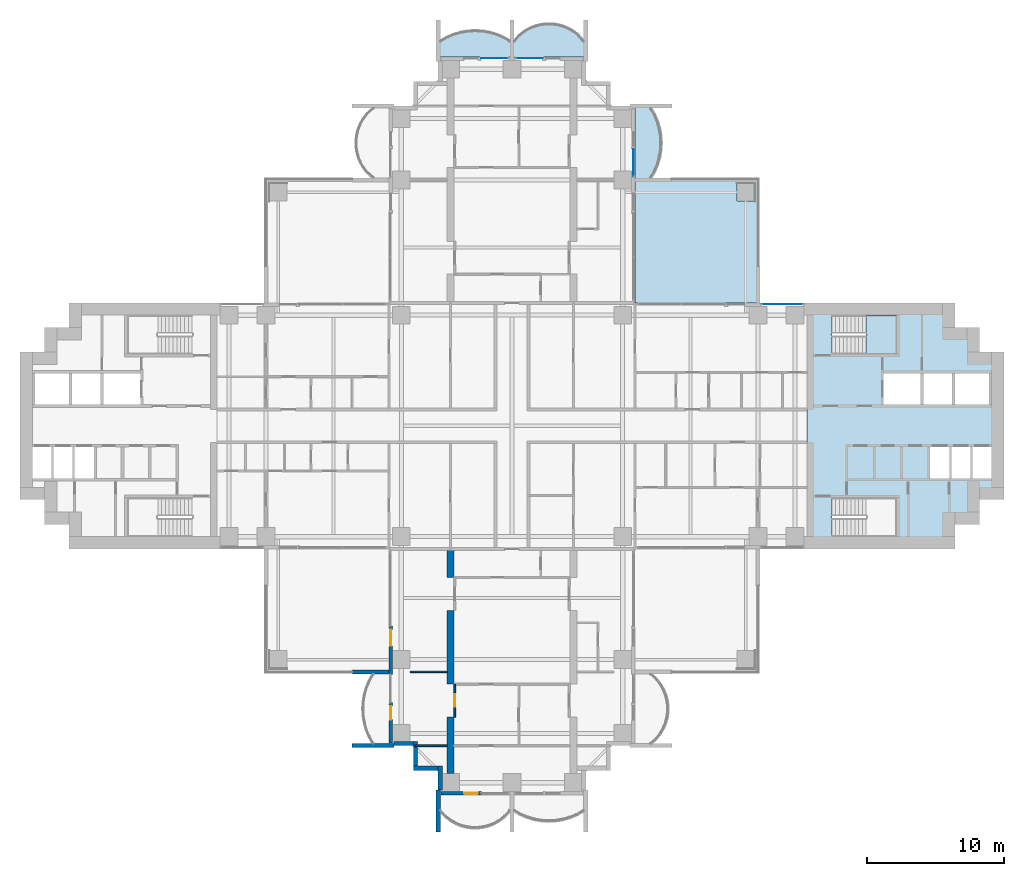
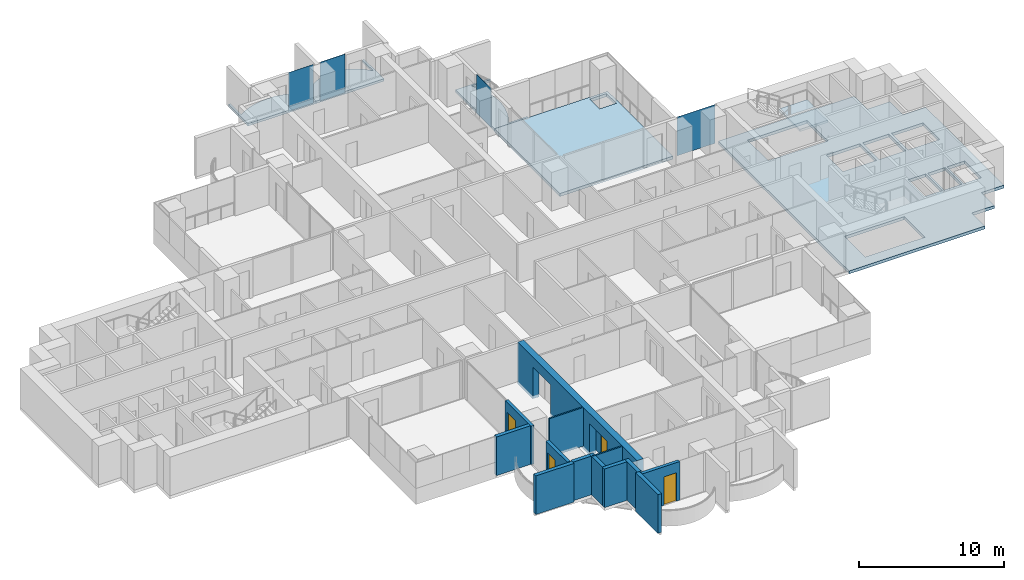
# One storey, part 9 of 20: 14 walls, 6 slabs, 4 doors, 4 plates, 4 openings, 5 elements without a shape of their own.
"""IFC4 building model written with IfcOpenShell, lengths in metres."""

from ifc_helpers import new_model, si_unit, direction, frame, frame_2d, origin, origin_2d, place, context, subcontext, project, spatial, polyline, rectangle, outline, extrude, material, layer, layer_set, material_profile, profile_set, type_object, element, fill, aggregate, save


model = new_model("IFC4")

# Units and contexts
model_context = context("Model", 3, precision=1e-05, world=origin(), true_north=direction((0.0, 1.0)))
body_context = subcontext(model_context, "Body", "Model", "MODEL_VIEW")
ifc_project = project(units=[si_unit("LENGTHUNIT", "METRE"), si_unit("AREAUNIT", "SQUARE_METRE"), si_unit("VOLUMEUNIT", "CUBIC_METRE"), si_unit("PLANEANGLEUNIT", "RADIAN"), si_unit("MASSUNIT", "GRAM", prefix="KILO")], contexts=[model_context])

# Site, building, storey
site_placement = place(None, origin())
site = spatial("IfcSite", under=ifc_project, at=site_placement, CompositionType="ELEMENT")
building_placement = place(site_placement, origin())
building = spatial("IfcBuilding", under=site, at=building_placement, Name="Perihelion Cross Residences", CompositionType="ELEMENT")
storey_placement = place(building_placement, frame((0.0, 0.0, 78.5)))
storey = spatial("IfcBuildingStorey", under=building, at=storey_placement, Name="L17", CompositionType="ELEMENT", Elevation=78.5)

# Slabs
ifc_material_1 = material(Name="Concrete C40/50", Category="concrete")
ifc_layer_1 = layer(ifc_material_1, 0.199951171875)
ifc_layer_set_1 = layer_set([ifc_layer_1], Name="Balcony slab 200")
slab_type_1 = type_object("IfcSlabType", Name="Balcony slab 200", PredefinedType="FLOOR", material=ifc_layer_set_1)
slab_1_placement = place(storey_placement, frame((0.0, 0.0, -0.199951171875)))
element("IfcSlab", 1, at=slab_1_placement, inside=storey, type_object=slab_type_1, Name="Slab BK1 L17 north side east bay 2 balcony", PredefinedType="FLOOR", context=body_context, shape_type="SweptSolid", body=[
    extrude(outline(polyline([(9.0, 18.0), (9.0, 23.39990234375), (11.699951171875, 23.39990234375), (11.699951171875, 23.25), (10.199951171875, 23.25), (10.4853515625, 22.739990234375), (10.694580078125, 22.22998046875), (10.838134765625, 21.719970703125), (10.92236328125, 21.2099609375), (10.949951171875, 20.699951171875), (10.92236328125, 20.18994140625), (10.838134765625, 19.679931640625), (10.694580078125, 19.169921875), (10.4853515625, 18.659912109375), (10.199951171875, 18.14990234375), (11.699951171875, 18.14990234375), (11.699951171875, 18.0), (9.0, 18.0)])), origin(), (0.0, 0.0, 1.0), 0.199951171875),
])
slab_2_placement = place(storey_placement, frame((0.0, 0.0, -0.199951171875)))
element("IfcSlab", 2, at=slab_2_placement, inside=storey, type_object=slab_type_1, Name="Slab BK1 L17 north tip north bay 1 balcony", PredefinedType="FLOOR", context=body_context, shape_type="SweptSolid", body=[
    extrude(outline(polyline([(5.39990234375, 27.0), (0.0, 27.0), (0.0, 29.699951171875), (0.14990234375, 29.699951171875), (0.14990234375, 28.199951171875), (0.542236328125, 28.622314453125), (0.9345703125, 28.924072265625), (1.326904296875, 29.143310546875), (1.71923828125, 29.29736328125), (2.111572265625, 29.39599609375), (2.50390625, 29.444091796875), (2.896240234375, 29.444091796875), (3.28857421875, 29.39599609375), (3.6806640625, 29.29736328125), (4.072998046875, 29.143310546875), (4.46533203125, 28.924072265625), (4.857666015625, 28.622314453125), (5.25, 28.199951171875), (5.25, 29.699951171875), (5.39990234375, 29.699951171875), (5.39990234375, 27.0)])), origin(), (0.0, 0.0, 1.0), 0.199951171875),
])
slab_3_placement = place(storey_placement, frame((0.0, 0.0, -0.199951171875)))
element("IfcSlab", 3, at=slab_3_placement, inside=storey, type_object=slab_type_1, Name="Slab BK1 L17 north tip north bay 2 balcony", PredefinedType="FLOOR", context=body_context, shape_type="SweptSolid", body=[
    extrude(outline(polyline([(0.0, 27.0), (-5.39990234375, 27.0), (-5.39990234375, 29.699951171875), (-5.25, 29.699951171875), (-5.25, 28.199951171875), (-4.739990234375, 28.4853515625), (-4.22998046875, 28.694580078125), (-3.719970703125, 28.838134765625), (-3.2099609375, 28.92236328125), (-2.699951171875, 28.949951171875), (-2.18994140625, 28.92236328125), (-1.679931640625, 28.838134765625), (-1.169921875, 28.694580078125), (-0.659912109375, 28.4853515625), (-0.14990234375, 28.199951171875), (-0.14990234375, 29.699951171875), (0.0, 29.699951171875), (0.0, 27.0)])), origin(), (0.0, 0.0, 1.0), 0.199951171875),
])

# Curtain wall, plate
ifc_material_2 = material(Name="Bronze anodised aluminium, tinted glazing", Category="aluminium")
curtain_wall_type = type_object("IfcCurtainWallType", Name="CW1", PredefinedType="NOTDEFINED", material=ifc_material_2)
curtain_wall_1_placement = place(storey_placement, origin())
curtain_wall_1 = element("IfcCurtainWall", 4, at=curtain_wall_1_placement, inside=storey, type_object=curtain_wall_type, Name="Curtain wall CW1 L17 east side north bay 1", PredefinedType="NOTDEFINED")
ifc_material_3 = material(Name="Tinted laminated glass", Category="glass")
ifc_layer_2 = layer(ifc_material_3, 0.028076171875)
ifc_layer_set_2 = layer_set([ifc_layer_2], Name="CW1 panel")
plate_type = type_object("IfcPlateType", Name="CW1 panel", PredefinedType="CURTAIN_PANEL", material=ifc_layer_set_2)
plate_1_placement = place(storey_placement, frame((19.77490234375, 8.89990234375, 0.0), z_axis=(0.0, 0.0, 1.0), x_axis=(-1.0, 0.0, 0.0)))
plate_1 = element("IfcPlate", 5, at=plate_1_placement, type_object=plate_type, Name="CW1 panel 1", PredefinedType="CURTAIN_PANEL", context=body_context, shape_type="SweptSolid", body=[
    extrude(rectangle(XDim=3.030029296875, YDim=0.028076171875, at=origin_2d()), origin(), (0.0, 0.0, 1.0), 3.25),
])
aggregate(curtain_wall_1, [plate_1])

curtain_wall_2_placement = place(storey_placement, origin())
curtain_wall_2 = element("IfcCurtainWall", 6, at=curtain_wall_2_placement, inside=storey, type_object=curtain_wall_type, Name="Curtain wall CW1 L17 north side east bay 2", PredefinedType="NOTDEFINED")
plate_2_placement = place(storey_placement, frame((8.89990234375, 19.2548828125, 0.0), z_axis=(0.0, 0.0, 1.0), x_axis=(0.0, 1.0, 0.0)))
plate_2 = element("IfcPlate", 7, at=plate_2_placement, type_object=plate_type, Name="CW1 panel 1", PredefinedType="CURTAIN_PANEL", context=body_context, shape_type="SweptSolid", body=[
    extrude(rectangle(XDim=1.989990234375, YDim=0.028076171875, at=origin_2d()), origin(), (0.0, 0.0, 1.0), 3.25),
])
aggregate(curtain_wall_2, [plate_2])

curtain_wall_3_placement = place(storey_placement, origin())
curtain_wall_3 = element("IfcCurtainWall", 8, at=curtain_wall_3_placement, inside=storey, type_object=curtain_wall_type, Name="Curtain wall CW1 L17 north tip north bay 1", PredefinedType="NOTDEFINED")
plate_3_placement = place(storey_placement, frame((1.2548828125, 26.89990234375, 0.0), z_axis=(0.0, 0.0, 1.0), x_axis=(-1.0, 0.0, 0.0)))
plate_3 = element("IfcPlate", 9, at=plate_3_placement, type_object=plate_type, Name="CW1 panel 1", PredefinedType="CURTAIN_PANEL", context=body_context, shape_type="SweptSolid", body=[
    extrude(rectangle(XDim=1.989990234375, YDim=0.028076171875, at=origin_2d()), origin(), (0.0, 0.0, 1.0), 3.25),
])
aggregate(curtain_wall_3, [plate_3])

curtain_wall_4_placement = place(storey_placement, origin())
curtain_wall_4 = element("IfcCurtainWall", 10, at=curtain_wall_4_placement, inside=storey, type_object=curtain_wall_type, Name="Curtain wall CW1 L17 north tip north bay 2", PredefinedType="NOTDEFINED")
plate_4_placement = place(storey_placement, frame((-1.2548828125, 26.89990234375, 0.0), z_axis=(0.0, 0.0, 1.0), x_axis=(-1.0, 0.0, 0.0)))
plate_4 = element("IfcPlate", 11, at=plate_4_placement, type_object=plate_type, Name="CW1 panel 1", PredefinedType="CURTAIN_PANEL", context=body_context, shape_type="SweptSolid", body=[
    extrude(rectangle(XDim=1.989990234375, YDim=0.028076171875, at=origin_2d()), origin(), (0.0, 0.0, 1.0), 3.25),
])
aggregate(curtain_wall_4, [plate_4])

# Slabs
ifc_material_4 = material(Name="Concrete C40/50", Category="concrete")
ifc_layer_3 = layer(ifc_material_4, 0.25)
ifc_layer_set_3 = layer_set([ifc_layer_3], Name="Core floor slab 250")
slab_type_2 = type_object("IfcSlabType", Name="Core floor slab 250", PredefinedType="FLOOR", material=ifc_layer_set_3)
slab_4_placement = place(storey_placement, frame((0.0, 0.0, -0.25)))
element("IfcSlab", 12, at=slab_4_placement, inside=storey, type_object=slab_type_2, Name="East core floor slab", PredefinedType="FLOOR", context=body_context, shape_type="SweptSolid", body=[
    extrude(outline(polyline([(32.39990234375, 7.199951171875), (34.199951171875, 7.199951171875), (34.199951171875, 5.39990234375), (36.0, 5.39990234375), (36.0, -5.39990234375), (34.199951171875, -5.39990234375), (34.199951171875, -7.199951171875), (32.39990234375, -7.199951171875), (32.39990234375, -9.0), (21.60009765625, -9.0), (21.60009765625, 9.0), (32.39990234375, 9.0), (32.39990234375, 7.199951171875)]), holes=[polyline([(23.405029296875, -8.10009765625), (28.14990234375, -8.10009765625), (28.14990234375, -5.25), (23.405029296875, -5.25), (23.405029296875, -8.10009765625)]), polyline([(30.60009765625, -1.550048828125), (30.60009765625, -3.85009765625), (32.0, -3.85009765625), (32.0, -1.550048828125), (30.60009765625, -1.550048828125)]), polyline([(32.14990234375, -1.550048828125), (32.14990234375, -3.85009765625), (33.550048828125, -3.85009765625), (33.550048828125, -1.550048828125), (32.14990234375, -1.550048828125)]), polyline([(33.699951171875, -1.550048828125), (33.699951171875, -3.85009765625), (35.10009765625, -3.85009765625), (35.10009765625, -1.550048828125), (33.699951171875, -1.550048828125)]), polyline([(27.199951171875, 3.85009765625), (27.199951171875, 1.550048828125), (29.89990234375, 1.550048828125), (29.89990234375, 3.85009765625), (27.199951171875, 3.85009765625)]), polyline([(30.10009765625, 3.85009765625), (30.10009765625, 1.550048828125), (32.199951171875, 1.550048828125), (32.199951171875, 3.85009765625), (30.10009765625, 3.85009765625)]), polyline([(32.39990234375, 3.85009765625), (32.39990234375, 1.550048828125), (34.89990234375, 1.550048828125), (34.89990234375, 3.85009765625), (32.39990234375, 3.85009765625)]), polyline([(23.405029296875, 5.25), (28.14990234375, 5.25), (28.14990234375, 8.10009765625), (23.405029296875, 8.10009765625), (23.405029296875, 5.25)])]), origin(), (0.0, 0.0, 1.0), 0.25),
])
ifc_material_5 = material(Name="Concrete C40/50", Category="concrete")
ifc_layer_4 = layer(ifc_material_5, 0.25)
ifc_layer_set_4 = layer_set([ifc_layer_4], Name="Corner terrace slab")
slab_type_3 = type_object("IfcSlabType", Name="Corner terrace slab", PredefinedType="FLOOR", material=ifc_layer_set_4)
slab_5_placement = place(storey_placement, frame((0.0, 0.0, -0.25)))
element("IfcSlab", 13, at=slab_5_placement, inside=storey, type_object=slab_type_3, Name="Slab BK2 L17 pocket north-east", PredefinedType="FLOOR", context=body_context, shape_type="SweptSolid", body=[
    extrude(outline(polyline([(18.0, 9.0), (18.0, 18.0), (9.0, 18.0), (9.0, 9.0), (18.0, 9.0)]), holes=[polyline([(16.449951171875, 16.449951171875), (16.449951171875, 17.7900390625), (17.7900390625, 17.7900390625), (17.7900390625, 16.409912109375), (17.75, 16.409912109375), (17.75, 16.449951171875), (16.449951171875, 16.449951171875)])]), origin(), (0.0, 0.0, 1.0), 0.25),
])

# Stair, slab
ifc_material_6 = material(Name="Concrete C40/50", Category="concrete")
stair_type = type_object("IfcStairType", Name="Exit stair, half-turn", PredefinedType="HALF_TURN_STAIR", material=ifc_material_6)
stair_placement = place(storey_placement, origin())
stair = element("IfcStair", 14, at=stair_placement, inside=storey, type_object=stair_type, Name="L17 East core exit stair 1", PredefinedType="HALF_TURN_STAIR")
ifc_material_7 = material(Name="Concrete C40/50", Category="concrete")
ifc_layer_5 = layer(ifc_material_7, 0.199951171875)
ifc_layer_set_5 = layer_set([ifc_layer_5], Name="Exit stair landing 200")
slab_type_4 = type_object("IfcSlabType", Name="Exit stair landing 200", PredefinedType="LANDING", material=ifc_layer_set_5)
slab_6_placement = place(storey_placement, frame((0.0, 0.0, 1.550048828125)))
slab_6 = element("IfcSlab", 15, at=slab_6_placement, type_object=slab_type_4, Name="ST-E1 landing 1", PredefinedType="LANDING", context=body_context, shape_type="SweptSolid", body=[
    extrude(outline(polyline([(25.919921875, 5.25), (28.14990234375, 5.25), (28.14990234375, 8.10009765625), (25.919921875, 8.10009765625), (25.919921875, 5.25)])), origin(), (0.0, 0.0, 1.0), 0.199951171875),
])
aggregate(stair, [slab_6])

# Wall, opening, door
ifc_material_8 = material(Name="Concrete C30/37, bronze-clad", Category="concrete")
ifc_layer_6 = layer(ifc_material_8, 0.25)
ifc_layer_set_6 = layer_set([ifc_layer_6], Name="Bronze-clad pier wall 250")
wall_type_1 = type_object("IfcWallType", Name="Bronze-clad pier wall 250", PredefinedType="SOLIDWALL", material=ifc_layer_set_6)
wall_1_placement = place(storey_placement, frame((-8.875, -14.64990234375, 0.0), z_axis=(0.0, 0.0, 1.0), x_axis=(0.0, -1.0, 0.0)))
wall_1 = element("IfcWall", 16, at=wall_1_placement, inside=storey, type_object=wall_type_1, Name="Wall FW1 L17 south side west bay 1 pier", PredefinedType="SOLIDWALL", context=body_context, shape_type="SweptSolid", body=[
    extrude(rectangle(XDim=3.550048828125, YDim=0.25, at=frame_2d((1.77490234375, 0.0))), origin(), (0.0, 0.0, 1.0), 3.25),
])
opening_1_placement = place(wall_1_placement, frame((0.25, 0.0, 0.0)))
opening_1 = element("IfcOpeningElement", 17, at=opening_1_placement, cuts=wall_1, Name="Opening L17.E10", PredefinedType="OPENING", context=body_context, shape_type="SweptSolid", body=[
    extrude(rectangle(XDim=1.199951171875, YDim=2.39990234375, at=frame_2d((0.60009765625, 1.199951171875))), frame((0.0, 0.135009765625, 0.0), z_axis=(0.0, -1.0, 0.0), x_axis=(1.0, 0.0, 0.0)), (0.0, 0.0, 1.0), 0.27001953125),
])
ifc_material_9 = material(Name="Bronze anodised aluminium, glazed", Category="aluminium")
door_type_1 = type_object("IfcDoorType", Name="Balcony door 1200 x 2400", OperationType="NOTDEFINED", PredefinedType="DOOR", material=ifc_material_9)
door_1_placement = place(opening_1_placement, origin())
door_1 = element("IfcDoor", 18, at=door_1_placement, inside=storey, type_object=door_type_1, Name="Door L17.E10 south side west bay 1", OperationType="SINGLE_SWING_LEFT", OverallHeight=2.39990234375, OverallWidth=1.199951171875, PredefinedType="DOOR", context=body_context, shape_type="SweptSolid", body=[
    extrude(rectangle(XDim=1.199951171875, YDim=2.39990234375, at=frame_2d((0.60009765625, 1.199951171875))), frame((0.0, 0.02490234375, 0.0), z_axis=(0.0, -1.0, 0.0), x_axis=(1.0, 0.0, 0.0)), (0.0, 0.0, 1.0), 0.050048828125),
])
fill(opening_1, door_1)

wall_2_placement = place(storey_placement, frame((-8.875, -20.25, 0.0), z_axis=(0.0, 0.0, 1.0), x_axis=(0.0, -1.0, 0.0)))
wall_2 = element("IfcWall", 19, at=wall_2_placement, inside=storey, type_object=wall_type_1, Name="Wall FW1 L17 south side west bay 2 pier", PredefinedType="SOLIDWALL", context=body_context, shape_type="SweptSolid", body=[
    extrude(rectangle(XDim=2.949951171875, YDim=0.25, at=frame_2d((1.47509765625, 0.0))), origin(), (0.0, 0.0, 1.0), 3.25),
])
opening_2_placement = place(wall_2_placement, frame((0.25, 0.0, 0.0)))
opening_2 = element("IfcOpeningElement", 20, at=opening_2_placement, cuts=wall_2, Name="Opening L17.E11", PredefinedType="OPENING", context=body_context, shape_type="SweptSolid", body=[
    extrude(rectangle(XDim=1.0, YDim=2.39990234375, at=frame_2d((0.5, 1.199951171875))), frame((0.0, 0.135009765625, 0.0), z_axis=(0.0, -1.0, 0.0), x_axis=(1.0, 0.0, 0.0)), (0.0, 0.0, 1.0), 0.27001953125),
])
ifc_material_10 = material(Name="Bronze anodised aluminium, glazed", Category="aluminium")
door_type_2 = type_object("IfcDoorType", Name="Balcony door 1000 x 2400", OperationType="NOTDEFINED", PredefinedType="DOOR", material=ifc_material_10)
door_2_placement = place(opening_2_placement, origin())
door_2 = element("IfcDoor", 21, at=door_2_placement, inside=storey, type_object=door_type_2, Name="Door L17.E11 south side west bay 2", OperationType="SINGLE_SWING_RIGHT", OverallHeight=2.39990234375, OverallWidth=1.0, PredefinedType="DOOR", context=body_context, shape_type="SweptSolid", body=[
    extrude(rectangle(XDim=1.0, YDim=2.39990234375, at=frame_2d((0.5, 1.199951171875))), frame((0.0, 0.02490234375, 0.0), z_axis=(0.0, -1.0, 0.0), x_axis=(1.0, 0.0, 0.0)), (0.0, 0.0, 1.0), 0.050048828125),
])
fill(opening_2, door_2)

wall_3_placement = place(storey_placement, frame((-5.199951171875, -26.875, 0.0), z_axis=(0.0, 0.0, 1.0), x_axis=(1.0, 0.0, 0.0)))
wall_3 = element("IfcWall", 22, at=wall_3_placement, inside=storey, type_object=wall_type_1, Name="Wall FW1 L17 south tip south bay 1 pier", PredefinedType="SOLIDWALL", context=body_context, shape_type="SweptSolid", body=[
    extrude(rectangle(XDim=2.949951171875, YDim=0.25, at=frame_2d((1.47509765625, 0.0))), origin(), (0.0, 0.0, 1.0), 3.25),
])
opening_3_placement = place(wall_3_placement, frame((1.699951171875, 0.0, 0.0)))
opening_3 = element("IfcOpeningElement", 23, at=opening_3_placement, cuts=wall_3, Name="Opening L17.E12", PredefinedType="OPENING", context=body_context, shape_type="SweptSolid", body=[
    extrude(rectangle(XDim=1.0, YDim=2.39990234375, at=frame_2d((0.5, 1.199951171875))), frame((0.0, 0.135009765625, 0.0), z_axis=(0.0, -1.0, 0.0), x_axis=(1.0, 0.0, 0.0)), (0.0, 0.0, 1.0), 0.27001953125),
])
door_3_placement = place(opening_3_placement, origin())
door_3 = element("IfcDoor", 24, at=door_3_placement, inside=storey, type_object=door_type_2, Name="Door L17.E12 south tip south bay 1", OperationType="SINGLE_SWING_LEFT", OverallHeight=2.39990234375, OverallWidth=1.0, PredefinedType="DOOR", context=body_context, shape_type="SweptSolid", body=[
    extrude(rectangle(XDim=1.0, YDim=2.39990234375, at=frame_2d((0.5, 1.199951171875))), frame((0.0, 0.02490234375, 0.0), z_axis=(0.0, -1.0, 0.0), x_axis=(1.0, 0.0, 0.0)), (0.0, 0.0, 1.0), 0.050048828125),
])
fill(opening_3, door_3)

# Walls
ifc_material_11 = material(Name="Concrete C30/37, bronze-clad", Category="concrete")
ifc_layer_7 = layer(ifc_material_11, 0.300048828125)
ifc_layer_set_7 = layer_set([ifc_layer_7], Name="Bronze-clad serration wall 300")
wall_type_2 = type_object("IfcWallType", Name="Bronze-clad serration wall 300", PredefinedType="SOLIDWALL", material=ifc_layer_set_7)
wall_4_placement = place(storey_placement, frame((-8.64990234375, -23.25, 0.0), z_axis=(0.0, 0.0, 1.0), x_axis=(1.0, 0.0, 0.0)))
element("IfcWall", 25, at=wall_4_placement, inside=storey, type_object=wall_type_2, Name="Wall SR1 L17 south corner south-west 1", PredefinedType="SOLIDWALL", context=body_context, shape_type="SweptSolid", body=[
    extrude(rectangle(XDim=1.449951171875, YDim=0.300048828125, at=frame_2d((0.72509765625, 0.0))), origin(), (0.0, 0.0, 1.0), 3.25),
])
wall_5_placement = place(storey_placement, frame((-7.050048828125, -23.10009765625, 0.0), z_axis=(0.0, 0.0, 1.0), x_axis=(0.0, -1.0, 0.0)))
element("IfcWall", 26, at=wall_5_placement, inside=storey, type_object=wall_type_2, Name="Wall SR1 L17 south corner south-west 2", PredefinedType="SOLIDWALL", context=body_context, shape_type="SweptSolid", body=[
    extrude(rectangle(XDim=1.7998046875, YDim=0.300048828125, at=frame_2d((0.89990234375, 0.0))), origin(), (0.0, 0.0, 1.0), 3.25),
])
wall_6_placement = place(storey_placement, frame((-7.199951171875, -25.050048828125, 0.0), z_axis=(0.0, 0.0, 1.0), x_axis=(1.0, 0.0, 0.0)))
element("IfcWall", 27, at=wall_6_placement, inside=storey, type_object=wall_type_2, Name="Wall SR1 L17 south corner south-west 3", PredefinedType="SOLIDWALL", context=body_context, shape_type="SweptSolid", body=[
    extrude(rectangle(XDim=1.800048828125, YDim=0.300048828125, at=frame_2d((0.89990234375, 0.0))), origin(), (0.0, 0.0, 1.0), 3.25),
])
wall_7_placement = place(storey_placement, frame((-5.25, -24.89990234375, 0.0), z_axis=(0.0, 0.0, 1.0), x_axis=(0.0, -1.0, 0.0)))
element("IfcWall", 28, at=wall_7_placement, inside=storey, type_object=wall_type_2, Name="Wall SR1 L17 south corner south-west 4", PredefinedType="SOLIDWALL", context=body_context, shape_type="SweptSolid", body=[
    extrude(rectangle(XDim=1.75, YDim=0.300048828125, at=frame_2d((0.875, 0.0))), origin(), (0.0, 0.0, 1.0), 3.25),
])

# Wall, opening, door
ifc_material_12 = material(Name="Plasterboard partition")
ifc_layer_8 = layer(ifc_material_12, 0.1201171875)
ifc_layer_set_8 = layer_set([ifc_layer_8], Name="Infill panel 120")
wall_type_3 = type_object("IfcWallType", Name="Infill panel 120", PredefinedType="PARTITIONING", material=ifc_layer_set_8)
wall_8_placement = place(storey_placement, frame((-4.18994140625, -18.89990234375, 0.0), z_axis=(0.0, 0.0, 1.0), x_axis=(0.0, -1.0, 0.0)))
wall_8 = element("IfcWall", 29, at=wall_8_placement, inside=storey, type_object=wall_type_3, Name="Partition L17 WI08", PredefinedType="PARTITIONING", context=body_context, shape_type="SweptSolid", body=[
    extrude(rectangle(XDim=2.400146484375, YDim=0.1201171875, at=frame_2d((1.2001953125, 0.0))), origin(), (0.0, 0.0, 1.0), 2.39990234375),
])
opening_4_placement = place(wall_8_placement, frame((0.75, 0.0, 0.0)))
opening_4 = element("IfcOpeningElement", 30, at=opening_4_placement, cuts=wall_8, Name="Opening L17.A56", PredefinedType="OPENING", context=body_context, shape_type="SweptSolid", body=[
    extrude(rectangle(XDim=0.89990234375, YDim=2.10009765625, at=frame_2d((0.449951171875, 1.050048828125))), frame((0.0, 0.070068359375, 0.0), z_axis=(0.0, -1.0, 0.0), x_axis=(1.0, 0.0, 0.0)), (0.0, 0.0, 1.0), 0.14013671875),
])
ifc_material_13 = material(Name="Timber door leaf", Category="wood")
door_type_3 = type_object("IfcDoorType", Name="Interior room door 900 x 2100", OperationType="SINGLE_SWING_LEFT", PredefinedType="DOOR", material=ifc_material_13)
door_4_placement = place(opening_4_placement, origin())
door_4 = element("IfcDoor", 31, at=door_4_placement, inside=storey, type_object=door_type_3, Name="Door L17.A56", OperationType="SINGLE_SWING_RIGHT", OverallHeight=2.10009765625, OverallWidth=0.89990234375, PredefinedType="DOOR", context=body_context, shape_type="SweptSolid", body=[
    extrude(rectangle(XDim=0.89990234375, YDim=2.10009765625, at=frame_2d((0.449951171875, 1.050048828125))), frame((0.0, 0.02490234375, 0.0), z_axis=(0.0, -1.0, 0.0), x_axis=(1.0, 0.0, 0.0)), (0.0, 0.0, 1.0), 0.050048828125),
])
fill(opening_4, door_4)

# Walls
ifc_material_14 = material(Name="Plasterboard partition")
ifc_layer_9 = layer(ifc_material_14, 0.1201171875)
ifc_layer_set_9 = layer_set([ifc_layer_9], Name="Partition wall 120")
wall_type_4 = type_object("IfcWallType", Name="Partition wall 120", PredefinedType="PARTITIONING", material=ifc_layer_set_9)
wall_9_placement = place(storey_placement, frame((-4.75, -18.0, 0.0), z_axis=(0.0, 0.0, 1.0), x_axis=(-1.0, 0.0, 0.0)))
element("IfcWall", 32, at=wall_9_placement, inside=storey, type_object=wall_type_4, Name="Partition L17 W072", PredefinedType="PARTITIONING", context=body_context, shape_type="SweptSolid", body=[
    extrude(rectangle(XDim=2.699951171875, YDim=0.1201171875, at=frame_2d((1.35009765625, 0.0))), origin(), (0.0, 0.0, 1.0), 3.25),
])
wall_10_placement = place(storey_placement, frame((-4.75, -23.39990234375, 0.0), z_axis=(0.0, 0.0, 1.0), x_axis=(-1.0, 0.0, 0.0)))
element("IfcWall", 33, at=wall_10_placement, inside=storey, type_object=wall_type_4, Name="Partition L17 W073", PredefinedType="PARTITIONING", context=body_context, shape_type="SweptSolid", body=[
    extrude(rectangle(XDim=2.3701171875, YDim=0.1201171875, at=frame_2d((1.18505859375, 0.0))), origin(), (0.0, 0.0, 1.0), 3.25),
])
ifc_material_15 = material(Name="Precast concrete C50/60", Category="concrete")
ifc_layer_10 = layer(ifc_material_15, 0.300048828125)
ifc_layer_set_10 = layer_set([ifc_layer_10], Name="Precast concrete C50/60 blade wall 300")
wall_type_5 = type_object("IfcWallType", Name="Precast concrete C50/60 blade wall 300", PredefinedType="SOLIDWALL", material=ifc_layer_set_10)
wall_11_placement = place(storey_placement, frame((-8.64990234375, -23.39990234375, 0.0), z_axis=(0.0, 0.0, 1.0), x_axis=(-1.0, 0.0, 0.0)))
element("IfcWall", 34, at=wall_11_placement, inside=storey, type_object=wall_type_5, Name="Wall BL1 L17 no. 6", PredefinedType="SOLIDWALL", context=body_context, shape_type="SweptSolid", body=[
    extrude(rectangle(XDim=3.050048828125, YDim=0.300048828125, at=frame_2d((1.52490234375, 0.0))), origin(), (0.0, 0.0, 1.0), 3.25),
])
wall_12_placement = place(storey_placement, frame((-9.0, -18.0, 0.0), z_axis=(0.0, 0.0, 1.0), x_axis=(-1.0, 0.0, 0.0)))
element("IfcWall", 35, at=wall_12_placement, inside=storey, type_object=wall_type_5, Name="Wall BL1 L17 no. 5", PredefinedType="SOLIDWALL", context=body_context, shape_type="SweptSolid", body=[
    extrude(rectangle(XDim=2.699951171875, YDim=0.300048828125, at=frame_2d((1.35009765625, 0.0))), origin(), (0.0, 0.0, 1.0), 3.25),
])
wall_13_placement = place(storey_placement, frame((-5.39990234375, -26.64990234375, 0.0), z_axis=(0.0, 0.0, 1.0), x_axis=(0.0, -1.0, 0.0)))
element("IfcWall", 36, at=wall_13_placement, inside=storey, type_object=wall_type_5, Name="Wall BL1 L17 no. 3", PredefinedType="SOLIDWALL", context=body_context, shape_type="SweptSolid", body=[
    extrude(rectangle(XDim=3.050048828125, YDim=0.300048828125, at=frame_2d((1.52490234375, 0.0))), origin(), (0.0, 0.0, 1.0), 3.25),
])
ifc_material_16 = material(Name="Concrete C60/75", Category="concrete")
ifc_material_profile = material_profile(ifc_material_16, outline(polyline([(0.0, 0.0), (4.14990234375, 0.0), (4.14990234375, 2.64990234375), (6.550048828125, 2.64990234375), (6.550048828125, 0.0), (11.949951171875, 0.0), (11.949951171875, 2.64990234375), (14.35009765625, 2.64990234375), (14.35009765625, 0.0), (16.449951171875, 0.0), (16.449951171875, 3.5), (0.0, 3.5), (0.0, 0.0)])), Name="Tip spine wall")
ifc_profile_set = profile_set([ifc_material_profile], Name="Concrete C60/75")
wall_type_6 = type_object("IfcWallType", Name="Tip spine wall 500 with 2 door openings 16450 long 3500 high concrete C60/75 hand A", PredefinedType="SHEAR", material=ifc_profile_set)
wall_14_placement = place(storey_placement, frame((-4.75, -25.449951171875, -0.25), z_axis=(1.0, 0.0, 0.0), x_axis=(0.0, 1.0, 0.0)))
element("IfcWall", 37, at=wall_14_placement, inside=storey, type_object=wall_type_6, Name="Shear wall SW24 L17 south west", PredefinedType="SHEAR", context=body_context, shape_type="SweptSolid", body=[
    extrude(outline(polyline([(0.0, 0.0), (4.14990234375, 0.0), (4.14990234375, 2.64990234375), (6.550048828125, 2.64990234375), (6.550048828125, 0.0), (11.949951171875, 0.0), (11.949951171875, 2.64990234375), (14.35009765625, 2.64990234375), (14.35009765625, 0.0), (16.449951171875, 0.0), (16.449951171875, 3.5), (0.0, 3.5), (0.0, 0.0)])), origin(), (0.0, 0.0, 1.0), 0.5),
])

save(model, "model.ifc")
